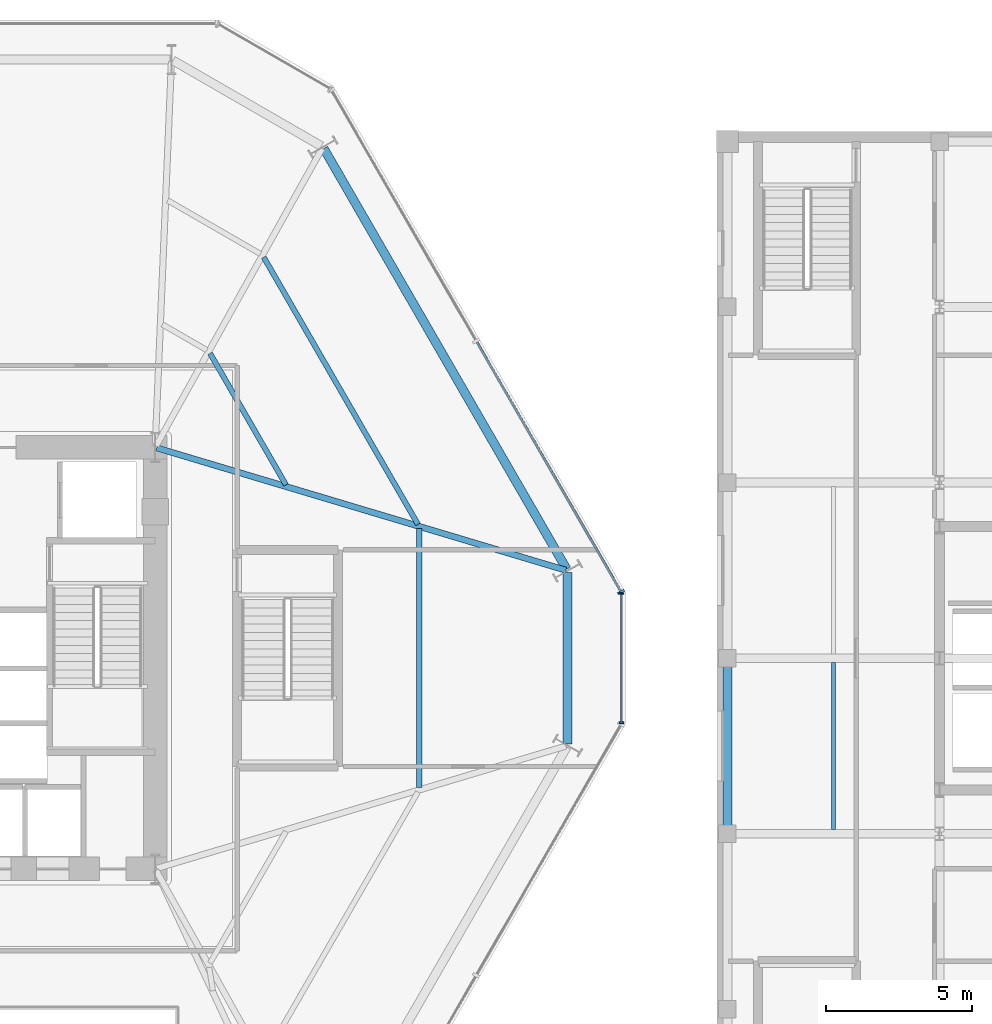
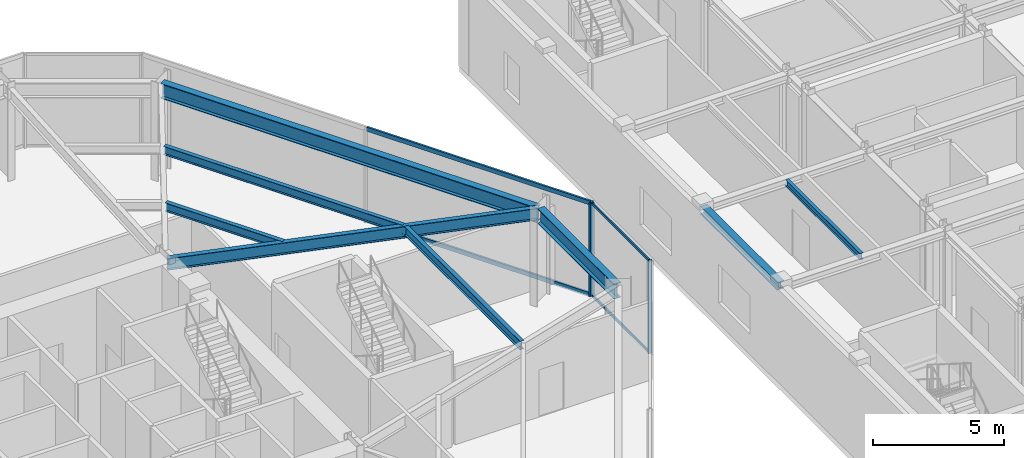
# One storey, part 10 of 22: 8 beams, 7 members, 2 elements without a shape of their own.
"""IFC4 building model written with IfcOpenShell, lengths in metres."""

from ifc_helpers import new_model, si_unit, direction, frame, origin, origin_2d, place, context, subcontext, project, spatial, rectangle, i_section, extrude, material, layer, layer_set, material_profile, profile_set, type_object, element, aggregate, save


model = new_model("IFC4")

# Units and contexts
model_context = context("Model", 3, precision=1e-05, world=origin(), true_north=direction((0.0, 1.0)))
body_context = subcontext(model_context, "Body", "Model", "MODEL_VIEW")
ifc_project = project(units=[si_unit("LENGTHUNIT", "METRE"), si_unit("AREAUNIT", "SQUARE_METRE"), si_unit("VOLUMEUNIT", "CUBIC_METRE"), si_unit("PLANEANGLEUNIT", "RADIAN"), si_unit("MASSUNIT", "GRAM", prefix="KILO")], contexts=[model_context])

# Site, building, storey
site_placement = place(None, origin())
site = spatial("IfcSite", under=ifc_project, at=site_placement, CompositionType="ELEMENT")
building_placement = place(site_placement, origin())
building = spatial("IfcBuilding", under=site, at=building_placement, Name="Kranzbogen Civic Tower", CompositionType="ELEMENT")
storey_placement = place(building_placement, frame((0.0, 0.0, 5.199951171875)))
storey = spatial("IfcBuildingStorey", under=building, at=storey_placement, Name="L01", CompositionType="ELEMENT", Elevation=5.199951171875)

# Curtain wall, members
ifc_material_1 = material(Name="Pale Anodised Aluminium", Category="aluminium")
ifc_layer_1 = layer(ifc_material_1, 0.219970703125, Name="Pale Anodised Aluminium")
ifc_layer_set_1 = layer_set([ifc_layer_1], Name="Pale Anodised Aluminium")
curtain_wall_type_1 = type_object("IfcCurtainWallType", Name="Chamfer Facet Stick Curtain Wall System CW-06", PredefinedType="USERDEFINED", material=ifc_layer_set_1)
curtain_wall_1_placement = place(storey_placement, origin())
curtain_wall_1 = element("IfcCurtainWall", 1, at=curtain_wall_1_placement, inside=storey, type_object=curtain_wall_type_1, Name="L01 curtain wall CW-L01-C6", ObjectType="STICK CURTAIN WALL", PredefinedType="USERDEFINED")
ifc_material_profile_1 = material_profile(ifc_material_1, rectangle(XDim=0.06005859375, YDim=0.159912109375, at=origin_2d()), Name="ALU-M 60x160")
ifc_profile_set_1 = profile_set([ifc_material_profile_1], Name="Pale Anodised Aluminium")
member_type_1 = type_object("IfcMemberType", Name="Curtain Wall Mullion ALU-M 60x160", PredefinedType="MULLION", material=ifc_profile_set_1)
member_1_placement = place(storey_placement, frame((48.73388671875, 22.79296875, 0.0), z_axis=(0.0, 0.0, 1.0), x_axis=(0.0, 1.0, 0.0)))
member_1 = element("IfcMember", 2, at=member_1_placement, type_object=member_type_1, Name="CW-06 mullion 1", PredefinedType="MULLION", context=body_context, shape_type="SweptSolid", body=[
    extrude(rectangle(XDim=0.06005859375, YDim=0.159912109375, at=origin_2d()), origin(), (0.0, 0.0, 1.0), 4.340087890625),
])
member_2_placement = place(storey_placement, frame((48.73388671875, 27.20703125, 0.0), z_axis=(0.0, 0.0, 1.0), x_axis=(0.0, 1.0, 0.0)))
member_2 = element("IfcMember", 3, at=member_2_placement, type_object=member_type_1, Name="CW-06 mullion 2", PredefinedType="MULLION", context=body_context, shape_type="SweptSolid", body=[
    extrude(rectangle(XDim=0.06005859375, YDim=0.159912109375, at=origin_2d()), origin(), (0.0, 0.0, 1.0), 4.340087890625),
])

# Curtain wall, member
ifc_layer_2 = layer(ifc_material_1, 0.219970703125, Name="Pale Anodised Aluminium")
ifc_layer_set_2 = layer_set([ifc_layer_2], Name="Pale Anodised Aluminium")
curtain_wall_type_2 = type_object("IfcCurtainWallType", Name="Podium Stick Curtain Wall System CW-01", PredefinedType="USERDEFINED", material=ifc_layer_set_2)
curtain_wall_2_placement = place(storey_placement, origin())
curtain_wall_2 = element("IfcCurtainWall", 4, at=curtain_wall_2_placement, inside=storey, type_object=curtain_wall_type_2, Name="L01 curtain wall CW-L01-F1", ObjectType="STICK CURTAIN WALL", PredefinedType="USERDEFINED")
ifc_material_profile_2 = material_profile(ifc_material_1, rectangle(XDim=0.0849609375, YDim=0.260009765625, at=origin_2d()), Name="ALU-M 85x260")
ifc_profile_set_2 = profile_set([ifc_material_profile_2], Name="Pale Anodised Aluminium")
member_type_2 = type_object("IfcMemberType", Name="Curtain Wall Mullion ALU-M 85x260", PredefinedType="MULLION", material=ifc_profile_set_2)
member_3_placement = place(storey_placement, frame((48.718994140625, 27.262939453125, 0.0), z_axis=(0.0, 0.0, 1.0), x_axis=(-0.500005767433, 0.86602207393, 0.0)))
member_3 = element("IfcMember", 5, at=member_3_placement, type_object=member_type_2, Name="CW-01 mullion 1", PredefinedType="MULLION", context=body_context, shape_type="SweptSolid", body=[
    extrude(rectangle(XDim=0.0849609375, YDim=0.260009765625, at=origin_2d()), origin(), (0.0, 0.0, 1.0), 4.340087890625),
])

# Member
ifc_material_profile_3 = material_profile(ifc_material_1, rectangle(XDim=0.06005859375, YDim=0.1201171875, at=origin_2d()), Name="ALU-T 60x120")
ifc_profile_set_3 = profile_set([ifc_material_profile_3], Name="Pale Anodised Aluminium")
member_type_3 = type_object("IfcMemberType", Name="Curtain Wall Transom ALU-T 60x120", PredefinedType="USERDEFINED", material=ifc_profile_set_3)
member_4_placement = place(storey_placement, frame((48.73388671875, 22.822998046875, 0.030029296875), z_axis=(0.0, 1.0, 0.0), x_axis=(-1.0, 0.0, 0.0)))
member_4 = element("IfcMember", 6, at=member_4_placement, type_object=member_type_3, Name="CW-06 transom 1.1", ObjectType="TRANSOM", PredefinedType="USERDEFINED", context=body_context, shape_type="SweptSolid", body=[
    extrude(rectangle(XDim=0.06005859375, YDim=0.1201171875, at=origin_2d()), origin(), (0.0, 0.0, 1.0), 4.35400390625),
])

member_5_placement = place(storey_placement, frame((48.73388671875, 22.822998046875, 4.31005859375), z_axis=(0.0, 1.0, 0.0), x_axis=(-1.0, 0.0, 0.0)))
member_5 = element("IfcMember", 7, at=member_5_placement, type_object=member_type_3, Name="CW-06 transom 1.2", ObjectType="TRANSOM", PredefinedType="USERDEFINED", context=body_context, shape_type="SweptSolid", body=[
    extrude(rectangle(XDim=0.06005859375, YDim=0.1201171875, at=origin_2d()), origin(), (0.0, 0.0, 1.0), 4.35400390625),
])

aggregate(curtain_wall_1, [member_1, member_2, member_4, member_5])

ifc_material_profile_4 = material_profile(ifc_material_1, rectangle(XDim=0.0849609375, YDim=0.195068359375, at=origin_2d()), Name="ALU-T 85x195")
ifc_profile_set_4 = profile_set([ifc_material_profile_4], Name="Pale Anodised Aluminium")
member_type_4 = type_object("IfcMemberType", Name="Curtain Wall Transom ALU-T 85x195", PredefinedType="USERDEFINED", material=ifc_profile_set_4)
member_6_placement = place(storey_placement, frame((48.7041015625, 27.2890625, 0.030029296875), z_axis=(-0.500021701106, 0.866012874282, 0.0), x_axis=(-0.866012874282, -0.500021701106, 0.0)))
member_6 = element("IfcMember", 8, at=member_6_placement, type_object=member_type_4, Name="CW-01 transom 1.1", ObjectType="TRANSOM", PredefinedType="USERDEFINED", context=body_context, shape_type="SweptSolid", body=[
    extrude(rectangle(XDim=0.0849609375, YDim=0.195068359375, at=origin_2d()), origin(), (0.0, 0.0, 1.0), 9.83984375),
])

member_7_placement = place(storey_placement, frame((48.7041015625, 27.2890625, 4.31005859375), z_axis=(-0.500021701106, 0.866012874282, 0.0), x_axis=(-0.866012874282, -0.500021701106, 0.0)))
member_7 = element("IfcMember", 9, at=member_7_placement, type_object=member_type_4, Name="CW-01 transom 1.2", ObjectType="TRANSOM", PredefinedType="USERDEFINED", context=body_context, shape_type="SweptSolid", body=[
    extrude(rectangle(XDim=0.0849609375, YDim=0.195068359375, at=origin_2d()), origin(), (0.0, 0.0, 1.0), 9.83984375),
])

aggregate(curtain_wall_2, [member_3, member_6, member_7])

# Beams
ifc_material_2 = material(Name="Steel S355", Category="steel")
ifc_material_profile_5 = material_profile(ifc_material_2, i_section(OverallWidth=0.300048828125, OverallDepth=0.360107421875, WebThickness=0.012451171875, FlangeThickness=0.0224609375, at=origin_2d()), Name="HEB 360")
ifc_profile_set_5 = profile_set([ifc_material_profile_5], Name="Steel S355")
beam_type_1 = type_object("IfcBeamType", Name="Health Centre Primary Floor Beam HEB 360", PredefinedType="BEAM", material=ifc_profile_set_5)
beam_1_placement = place(storey_placement, frame((52.35009765625, 19.06005859375, 4.16015625), z_axis=(0.0, 1.0, 0.0), x_axis=(-1.0, 0.0, 0.0)))
element("IfcBeam", 10, at=beam_1_placement, inside=storey, type_object=beam_type_1, Name="L01 Health Centre Y girder 1-3", PredefinedType="BEAM", context=body_context, shape_type="SweptSolid", body=[
    extrude(i_section(OverallWidth=0.300048828125, OverallDepth=0.360107421875, WebThickness=0.012451171875, FlangeThickness=0.0224609375, at=origin_2d()), origin(), (0.0, 0.0, 1.0), 5.8798828125),
])
ifc_material_profile_6 = material_profile(ifc_material_2, i_section(OverallWidth=0.14990234375, OverallDepth=0.300048828125, WebThickness=0.007080078125, FlangeThickness=0.0107421875, at=origin_2d()), Name="IPE 300")
ifc_profile_set_6 = profile_set([ifc_material_profile_6], Name="Steel S355")
beam_type_2 = type_object("IfcBeamType", Name="Health Centre Secondary Joist IPE 300", PredefinedType="JOIST", material=ifc_profile_set_6)
beam_2_placement = place(storey_placement, frame((55.97509765625, 19.139892578125, 4.18994140625), z_axis=(0.0, 1.0, 0.0), x_axis=(-1.0, 0.0, 0.0)))
element("IfcBeam", 11, at=beam_2_placement, inside=storey, type_object=beam_type_2, Name="L01 Health Centre secondary joist 1-3", PredefinedType="JOIST", context=body_context, shape_type="SweptSolid", body=[
    extrude(i_section(OverallWidth=0.14990234375, OverallDepth=0.300048828125, WebThickness=0.007080078125, FlangeThickness=0.0107421875, at=origin_2d()), origin(), (0.0, 0.0, 1.0), 5.72021484375),
])
ifc_material_profile_7 = material_profile(ifc_material_2, i_section(OverallWidth=0.300048828125, OverallDepth=0.699951171875, WebThickness=0.01708984375, FlangeThickness=0.031982421875, at=origin_2d()), Name="HEB 700")
ifc_profile_set_7 = profile_set([ifc_material_profile_7], Name="Steel S355")
beam_type_3 = type_object("IfcBeamType", Name="Perimeter Tube Spandrel Beam HEB 700", PredefinedType="SPANDREL", material=ifc_profile_set_7)
beam_3_placement = place(storey_placement, frame((46.889892578125, 22.073974609375, 3.989990234375), z_axis=(0.0, 1.0, 0.0), x_axis=(-1.0, 0.0, 0.0)))
element("IfcBeam", 12, at=beam_3_placement, inside=storey, type_object=beam_type_3, Name="L01 perimeter spandrel beam 06", PredefinedType="SPANDREL", context=body_context, shape_type="SweptSolid", body=[
    extrude(i_section(OverallWidth=0.300048828125, OverallDepth=0.699951171875, WebThickness=0.01708984375, FlangeThickness=0.031982421875, at=origin_2d()), origin(), (0.0, 0.0, 1.0), 5.85205078125),
])
beam_4_placement = place(storey_placement, frame((46.860107421875, 28.0380859375, 3.989990234375), z_axis=(-0.500010210561, 0.866019508634, 0.0), x_axis=(-0.866019508634, -0.500010210561, 0.0)))
element("IfcBeam", 13, at=beam_4_placement, inside=storey, type_object=beam_type_3, Name="L01 perimeter spandrel beam 07", PredefinedType="SPANDREL", context=body_context, shape_type="SweptSolid", body=[
    extrude(i_section(OverallWidth=0.300048828125, OverallDepth=0.699951171875, WebThickness=0.01708984375, FlangeThickness=0.031982421875, at=origin_2d()), origin(), (0.0, 0.0, 1.0), 16.597900390625),
])
ifc_material_profile_8 = material_profile(ifc_material_2, i_section(OverallWidth=0.2099609375, OverallDepth=0.550048828125, WebThickness=0.010986328125, FlangeThickness=0.01708984375, at=origin_2d()), Name="IPE 550")
ifc_profile_set_8 = profile_set([ifc_material_profile_8], Name="Steel S355")
beam_type_4 = type_object("IfcBeamType", Name="Radial Tower Floor Girder IPE 550", PredefinedType="BEAM", material=ifc_profile_set_8)
beam_5_placement = place(storey_placement, frame((46.8330078125, 28.0029296875, 4.06494140625), z_axis=(-0.958064557048, 0.286552446385, 0.0), x_axis=(-0.286552446385, -0.958064557048, 0.0)))
element("IfcBeam", 14, at=beam_5_placement, inside=storey, type_object=beam_type_4, Name="L01 radial floor girder 07", PredefinedType="BEAM", context=body_context, shape_type="SweptSolid", body=[
    extrude(i_section(OverallWidth=0.2099609375, OverallDepth=0.550048828125, WebThickness=0.010986328125, FlangeThickness=0.01708984375, at=origin_2d()), origin(), (0.0, 0.0, 1.0), 14.587890625),
])
ifc_material_profile_9 = material_profile(ifc_material_2, i_section(OverallWidth=0.179931640625, OverallDepth=0.39990234375, WebThickness=0.008544921875, FlangeThickness=0.013427734375, at=origin_2d()), Name="IPE 400")
ifc_profile_set_9 = profile_set([ifc_material_profile_9], Name="Steel S355")
beam_type_5 = type_object("IfcBeamType", Name="Secondary Composite Floor Joist IPE 400", PredefinedType="JOIST", material=ifc_profile_set_9)
beam_6_placement = place(storey_placement, frame((41.818115234375, 20.576904296875, 4.14013671875), z_axis=(0.0, 1.0, 0.0), x_axis=(-1.0, 0.0, 0.0)))
element("IfcBeam", 15, at=beam_6_placement, inside=storey, type_object=beam_type_5, Name="L01 secondary floor joist 1.06", PredefinedType="JOIST", context=body_context, shape_type="SweptSolid", body=[
    extrude(i_section(OverallWidth=0.179931640625, OverallDepth=0.39990234375, WebThickness=0.008544921875, FlangeThickness=0.013427734375, at=origin_2d()), origin(), (0.0, 0.0, 1.0), 8.84619140625),
])
beam_7_placement = place(storey_placement, frame((41.778076171875, 29.572021484375, 4.14013671875), z_axis=(-0.500000488781, 0.866025121586, 0.0), x_axis=(-0.866025121586, -0.500000488781, 0.0)))
element("IfcBeam", 16, at=beam_7_placement, inside=storey, type_object=beam_type_5, Name="L01 secondary floor joist 1.07", PredefinedType="JOIST", context=body_context, shape_type="SweptSolid", body=[
    extrude(i_section(OverallWidth=0.179931640625, OverallDepth=0.39990234375, WebThickness=0.008544921875, FlangeThickness=0.013427734375, at=origin_2d()), origin(), (0.0, 0.0, 1.0), 10.5400390625),
])
beam_8_placement = place(storey_placement, frame((37.26904296875, 30.9208984375, 4.14013671875), z_axis=(-0.500040090343, 0.866002256377, 0.0), x_axis=(-0.866002256377, -0.500040090343, 0.0)))
element("IfcBeam", 17, at=beam_8_placement, inside=storey, type_object=beam_type_5, Name="L01 secondary floor joist 2.07", PredefinedType="JOIST", context=body_context, shape_type="SweptSolid", body=[
    extrude(i_section(OverallWidth=0.179931640625, OverallDepth=0.39990234375, WebThickness=0.008544921875, FlangeThickness=0.013427734375, at=origin_2d()), origin(), (0.0, 0.0, 1.0), 5.189453125),
])

save(model, "model.ifc")
